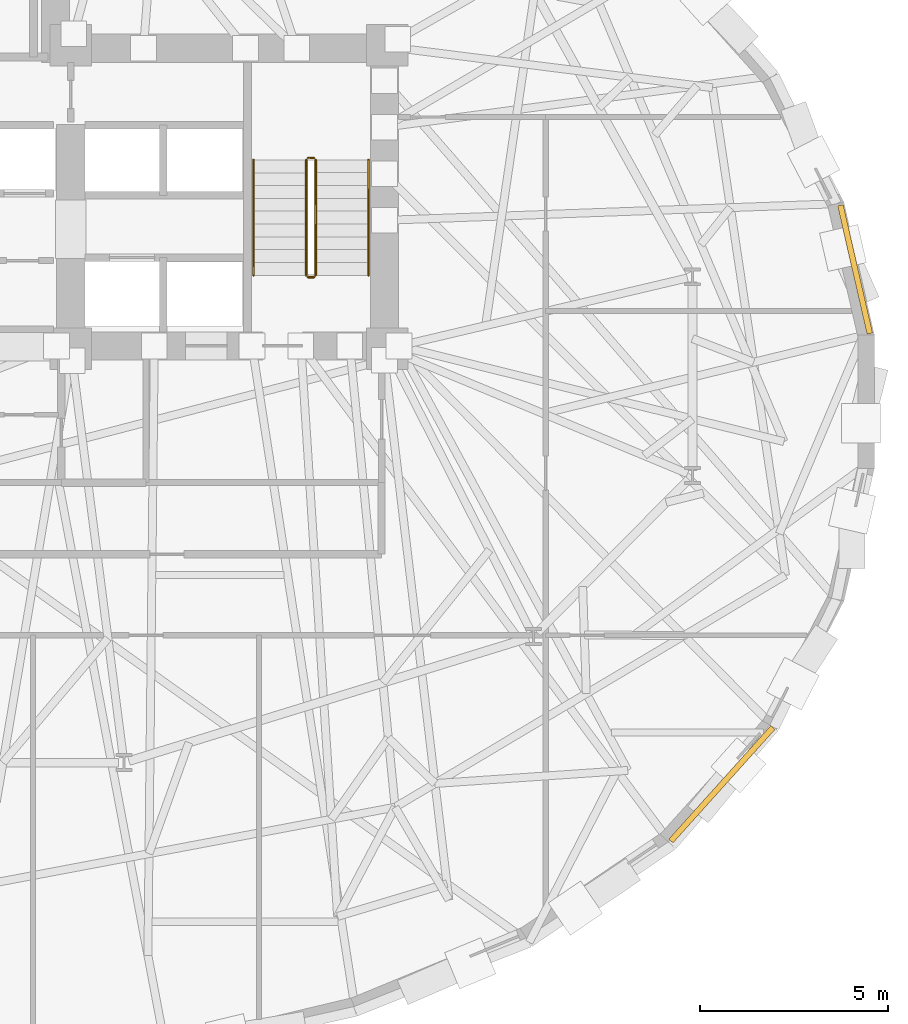
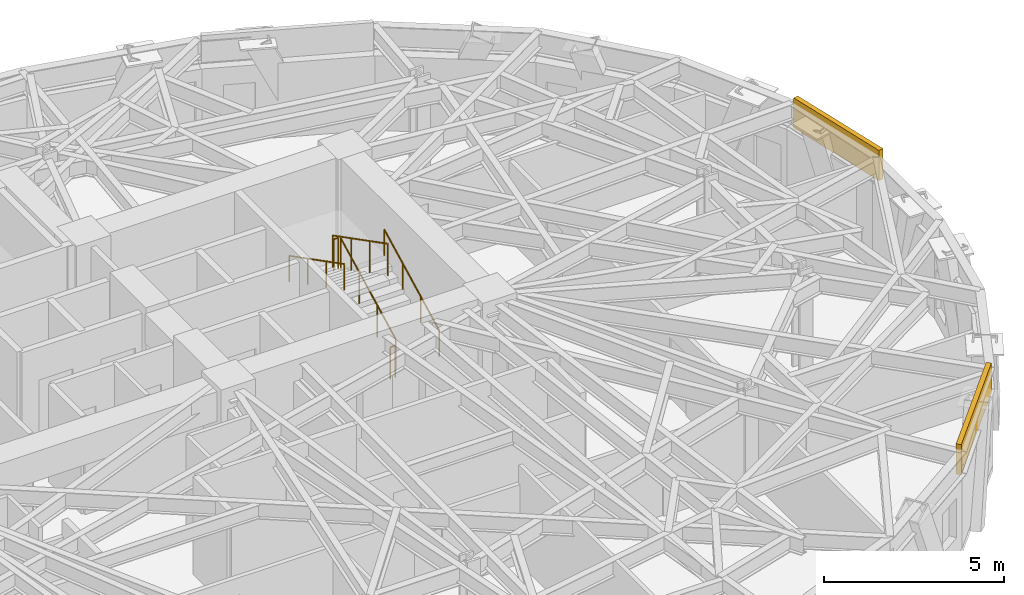
# One storey, part 13 of 14: 6 railings, 2 coverings.
"""IFC4 building model written with IfcOpenShell, lengths in metres."""

import ifcopenshell
import ifcopenshell.guid

model = None  # the IFC model being written
_history = None  # IfcOwnerHistory: only IFC2X3 demands one
_inside = {}  # id of a spatial element -> (the spatial element, [elements in it])
_under = {}  # id of a project, library or spatial element -> (it, [spatial elements below it])
_declared = {}  # id of a project -> (the project, [libraries it declares])
_typed = {}  # id of a type object -> (the type object, [elements of that type])
_made_of = {}  # id of a material, layer set ... -> (it, [elements and type objects made of it])


def new_model(schema):
    """Start an empty IFC model of exactly this schema.

    Asked for "IFC4X3", IfcOpenShell would pick the latest addendum, in which some entities
    have other attributes; the version numbers below select the first issue.
    IFC2X3 requires an IfcOwnerHistory on every rooted entity: one is made here for all.
    """
    global model, _history
    if schema == "IFC4X3":
        model = ifcopenshell.file(schema_version=(4, 3, 0, 0))
    else:
        model = ifcopenshell.file(schema=schema)
    _inside.clear()
    _under.clear()
    _declared.clear()
    _typed.clear()
    _made_of.clear()
    _history = None
    if model.schema == "IFC2X3":
        org = make("IfcOrganization", Name="unknown")
        user = make(
            "IfcPersonAndOrganization",
            ThePerson=make("IfcPerson", FamilyName="unknown"),
            TheOrganization=org,
        )
        app = make(
            "IfcApplication",
            ApplicationDeveloper=org,
            Version="unknown",
            ApplicationFullName="unknown",
            ApplicationIdentifier="unknown",
        )
        _history = make(
            "IfcOwnerHistory",
            OwningUser=user,
            OwningApplication=app,
            ChangeAction="ADDED",
            CreationDate=0,
        )
    return model


def make(cls, **values):
    """One entity of the class cls with the attributes given. An attribute that is None is left unset."""
    return model.create_entity(
        cls, **{name: value for name, value in values.items() if value is not None}
    )


def rooted(cls, **values):
    """An entity with a GlobalId (a new one), such as an element, a storey or a relation."""
    return make(cls, GlobalId=ifcopenshell.guid.new(), OwnerHistory=_history, **values)


def si_unit(unit_type, name, prefix=None):
    """IfcSIUnit, for example si_unit("LENGTHUNIT", "METRE", prefix="MILLI")."""
    return make("IfcSIUnit", UnitType=unit_type, Prefix=prefix, Name=name)


def assignment(units):
    """IfcUnitAssignment: the units of a project."""
    return None if units is None else make("IfcUnitAssignment", Units=units)


def point(xyz):
    """IfcCartesianPoint."""
    return None if xyz is None else make("IfcCartesianPoint", Coordinates=xyz)


def direction(xyz):
    """IfcDirection."""
    return None if xyz is None else make("IfcDirection", DirectionRatios=xyz)


def frame(location, z_axis=None, x_axis=None):
    """IfcAxis2Placement3D, a coordinate frame: its origin and axes. An axis left out is left unset."""
    return make(
        "IfcAxis2Placement3D",
        Location=point(location),
        Axis=direction(z_axis),
        RefDirection=direction(x_axis),
    )


def frame_2d(location, x_axis=None):
    """IfcAxis2Placement2D, a coordinate frame in the plane: its origin and x axis."""
    return make(
        "IfcAxis2Placement2D", Location=point(location), RefDirection=direction(x_axis)
    )


def origin():
    """The frame at (0, 0, 0) with its axes left unset."""
    return frame((0.0, 0.0, 0.0))


def origin_2d():
    """The frame at (0, 0) in the plane with its x axis left unset."""
    return frame_2d((0.0, 0.0))


def place(relative_to, where):
    """IfcLocalPlacement: puts the frame where relative to a parent placement (None: the world)."""
    return make(
        "IfcLocalPlacement", PlacementRelTo=relative_to, RelativePlacement=where
    )


def context(
    kind, dimensions, precision=None, world=None, true_north=None, identifier=None
):
    """IfcGeometricRepresentationContext, for example the 3D "Model" context."""
    return make(
        "IfcGeometricRepresentationContext",
        ContextIdentifier=identifier,
        ContextType=kind,
        CoordinateSpaceDimension=dimensions,
        Precision=precision,
        WorldCoordinateSystem=world,
        TrueNorth=true_north,
    )


def subcontext(parent, identifier, kind, view, scale=None):
    """IfcGeometricRepresentationSubContext, for example "Body" below "Model"."""
    return make(
        "IfcGeometricRepresentationSubContext",
        ContextIdentifier=identifier,
        ContextType=kind,
        ParentContext=parent,
        TargetScale=scale,
        TargetView=view,
    )


def project(units=None, contexts=None):
    """IfcProject with its units and contexts."""
    return rooted(
        "IfcProject",
        Name="project",
        RepresentationContexts=contexts,
        UnitsInContext=assignment(units),
    )


def spatial(cls, under=None, at=None, **own):
    """A site, building, storey or space (cls), placed at a placement, below another one or the project."""
    s = rooted(cls, ObjectPlacement=at, **own)
    if under is not None:
        _under.setdefault(under.id(), (under, []))[1].append(s)
    return s


def profile(cls, at=None, kind="AREA", **sizes):
    """A parametric profile (cls). Its sizes go by their IFC names, for example OverallWidth=200.0."""
    return make(cls, ProfileType=kind, Position=at, **sizes)


def rectangle(**sizes):
    """IfcRectangleProfileDef."""
    return profile("IfcRectangleProfileDef", **sizes)


def circle(**sizes):
    """IfcCircleProfileDef."""
    return profile("IfcCircleProfileDef", **sizes)


def extrude(swept, where, along, depth):
    """IfcExtrudedAreaSolid: the profile swept, set in the frame where, extruded along a direction by depth."""
    return make(
        "IfcExtrudedAreaSolid",
        SweptArea=swept,
        Position=where,
        ExtrudedDirection=direction(along),
        Depth=depth,
    )


def shape(context_of_items, identifier, shape_type, items):
    """IfcShapeRepresentation: the items that make up one representation, for example the "Body"."""
    return make(
        "IfcShapeRepresentation",
        ContextOfItems=context_of_items,
        RepresentationIdentifier=identifier,
        RepresentationType=shape_type,
        Items=items,
    )


def material(Name=None, Category=None):
    """IfcMaterial."""
    return make("IfcMaterial", Name=Name, Category=Category)


def layer(
    of_material, thickness, ventilated=None, Name=None, Category=None, Priority=None
):
    """IfcMaterialLayer: one layer of a wall or slab, of a material (None: an air gap)."""
    return make(
        "IfcMaterialLayer",
        Material=of_material,
        LayerThickness=thickness,
        IsVentilated=ventilated,
        Name=Name,
        Category=Category,
        Priority=Priority,
    )


def layer_set(layers, Name=None):
    """IfcMaterialLayerSet."""
    return make("IfcMaterialLayerSet", MaterialLayers=layers, LayerSetName=Name)


def made_of(thing, what):
    """Note that an element or type object is made of a material, layer set ...; save() writes the relation."""
    if what is not None:
        _made_of.setdefault(what.id(), (what, []))[1].append(thing)
    return thing


def type_object(cls, material=None, **own):
    """A type object (cls), such as IfcWallType, which elements share."""
    return made_of(rooted(cls, **own), material)


def element(
    cls,
    number,
    at=None,
    inside=None,
    cuts=None,
    type_object=None,
    material=None,
    context=None,
    identifier="Body",
    shape_type=None,
    held_by="IfcProductDefinitionShape",
    body=None,
    shapes=None,
    **own,
):
    """One element of the class cls, such as IfcWall. Its Tag is "e" and its number.

    at: its placement. inside: the storey or other place that contains it. cuts: it is an
    opening in that element (IfcRelVoidsElement). A single representation is given by context,
    identifier, shape_type and body (its items); several are given by shapes. held_by: the class
    of the entity that holds the representations. save() writes the other relations.
    """
    e = rooted(cls, Tag="e%d" % number, ObjectPlacement=at, **own)
    if body is not None:
        shapes = [shape(context, identifier, shape_type, body)]
    if shapes is not None:
        e.Representation = make(held_by, Representations=shapes)
    if inside is not None:
        _inside.setdefault(inside.id(), (inside, []))[1].append(e)
    if cuts is not None:
        rooted(
            "IfcRelVoidsElement", RelatingBuildingElement=cuts, RelatedOpeningElement=e
        )
    if type_object is not None:
        _typed.setdefault(type_object.id(), (type_object, []))[1].append(e)
    return made_of(e, material)


def aggregate(whole, parts):
    """IfcRelAggregates: a whole, such as a stair, and the parts it consists of."""
    return rooted("IfcRelAggregates", RelatingObject=whole, RelatedObjects=parts)


def save(model, path):
    """Write the relations noted so far, then the file.

    IfcRelAggregates (storeys below a building ...), IfcRelContainedInSpatialStructure (elements
    in a storey), IfcRelDefinesByType, IfcRelAssociatesMaterial and IfcRelDeclares: one each for
    every whole, place, type object, material and project.
    """
    for whole, parts in _under.values():
        aggregate(whole, parts)
    for where, things in _inside.values():
        rooted(
            "IfcRelContainedInSpatialStructure",
            RelatedElements=things,
            RelatingStructure=where,
        )
    for kind, things in _typed.values():
        rooted("IfcRelDefinesByType", RelatedObjects=things, RelatingType=kind)
    for what, things in _made_of.values():
        rooted("IfcRelAssociatesMaterial", RelatedObjects=things, RelatingMaterial=what)
    for by, libraries in _declared.values():
        rooted("IfcRelDeclares", RelatingContext=by, RelatedDefinitions=libraries)
    model.write(path)


model = new_model("IFC4")

# Units and contexts
model_context = context("Model", 3, precision=1e-05, world=origin(), true_north=direction((0.0, 1.0)))
body_context = subcontext(model_context, "Body", "Model", "MODEL_VIEW")
ifc_project = project(units=[si_unit("LENGTHUNIT", "METRE"), si_unit("AREAUNIT", "SQUARE_METRE"), si_unit("VOLUMEUNIT", "CUBIC_METRE"), si_unit("PLANEANGLEUNIT", "RADIAN"), si_unit("MASSUNIT", "GRAM", prefix="KILO")], contexts=[model_context])

# Site, building, storey
site_placement = place(None, origin())
site = spatial("IfcSite", under=ifc_project, at=site_placement, CompositionType="ELEMENT")
building_placement = place(site_placement, origin())
building = spatial("IfcBuilding", under=site, at=building_placement, Name="Keldmark Tower", CompositionType="ELEMENT")
storey_placement = place(building_placement, frame((0.0, 0.0, 117.60009765625)))
storey = spatial("IfcBuildingStorey", under=building, at=storey_placement, Name="L31", CompositionType="ELEMENT", Elevation=117.60009765625)

# Coverings
ifc_material_1 = material(Name="Honed Kasota Buff Dolomitic Limestone", Category="masonry")
ifc_layer = layer(ifc_material_1, 0.074951171875)
ifc_layer_set = layer_set([ifc_layer], Name="Honed Kasota Buff Dolomitic Limestone")
covering_type = type_object("IfcCoveringType", Name="Kasota Buff Limestone Spandrel Cladding Band", PredefinedType="CLADDING", material=ifc_layer_set)
covering_1_placement = place(storey_placement, frame((26.01171875, 3.50537109375, 2.45166015625), z_axis=(0.0, 0.0, 1.0), x_axis=(-0.223318166636, 0.974745606017, 0.0)))
element("IfcCovering", 1, at=covering_1_placement, inside=storey, type_object=covering_type, Name="L31 Kasota Limestone Spandrel Band 01", PredefinedType="CLADDING", context=body_context, shape_type="SweptSolid", body=[
    extrude(rectangle(XDim=3.48876953125, YDim=0.14990234375, at=origin_2d()), origin(), (0.0, 0.0, 1.0), 1.028076171875),
])
covering_2_placement = place(storey_placement, frame((22.476318359375, -10.154296875, 2.45166015625), z_axis=(0.0, 0.0, 1.0), x_axis=(0.668741404933, 0.743495079559, 0.0)))
element("IfcCovering", 2, at=covering_2_placement, inside=storey, type_object=covering_type, Name="L31 Kasota Limestone Spandrel Band 29", PredefinedType="CLADDING", context=body_context, shape_type="SweptSolid", body=[
    extrude(rectangle(XDim=4.04541015625, YDim=0.14990234375, at=origin_2d()), origin(), (0.0, 0.0, 1.0), 1.028076171875),
])

# Railings
ifc_material_2 = material(Name="Painted Steel ASTM A500 Grade B", Category="steel")
railing_type_1 = type_object("IfcRailingType", Name="Painted Steel Stair Well Guard 1100 mm", PredefinedType="GUARDRAIL", material=ifc_material_2)
railing_1_placement = place(storey_placement, frame((11.699951171875, 3.35009765625, 0.1748046875)))
element("IfcRailing", 3, at=railing_1_placement, inside=storey, type_object=railing_type_1, Name="L31 ST2 stair guard 1", PredefinedType="GUARDRAIL", context=body_context, shape_type="SweptSolid", body=[
    extrude(circle(Radius=0.02392578125, at=origin_2d()), frame((0.0, 0.0, 1.076171875), z_axis=(0.0, 0.889101422983, 0.457710235465), x_axis=(-1.0, 0.0, 0.0)), (0.0, 0.0, 1.0), 3.44140625),
    extrude(circle(Radius=0.02099609375, at=origin_2d()), origin(), (0.0, 0.0, 1.0), 1.052001953125),
    extrude(circle(Radius=0.02099609375, at=origin_2d()), frame((0.0, 1.02001953125, 0.525146484375)), (0.0, 0.0, 1.0), 1.052001953125),
    extrude(circle(Radius=0.02099609375, at=origin_2d()), frame((0.0, 2.039794921875, 1.050048828125)), (0.0, 0.0, 1.0), 1.052001953125),
    extrude(circle(Radius=0.02099609375, at=origin_2d()), frame((0.0, 3.059814453125, 1.5751953125)), (0.0, 0.0, 1.0), 1.052001953125),
])
railing_2_placement = place(storey_placement, frame((11.64990234375, 6.4599609375, 1.75)))
element("IfcRailing", 4, at=railing_2_placement, inside=storey, type_object=railing_type_1, Name="L31 ST2 stair guard 2", PredefinedType="GUARDRAIL", context=body_context, shape_type="SweptSolid", body=[
    extrude(circle(Radius=0.02392578125, at=origin_2d()), frame((0.0, 0.0, 1.076171875), z_axis=(-1.0, 0.0, 0.0), x_axis=(0.0, -1.0, 0.0)), (0.0, 0.0, 1.0), 0.14990234375),
    extrude(circle(Radius=0.02099609375, at=origin_2d()), origin(), (0.0, 0.0, 1.0), 1.052001953125),
    extrude(circle(Radius=0.02099609375, at=origin_2d()), frame((-0.14990234375, 0.0, 0.0)), (0.0, 0.0, 1.0), 1.052001953125),
])
railing_3_placement = place(storey_placement, frame((11.449951171875, 6.409912109375, 1.9248046875)))
element("IfcRailing", 5, at=railing_3_placement, inside=storey, type_object=railing_type_1, Name="L31 ST2 stair guard 3", PredefinedType="GUARDRAIL", context=body_context, shape_type="SweptSolid", body=[
    extrude(circle(Radius=0.02392578125, at=origin_2d()), frame((0.0, 0.0, 1.076171875), z_axis=(0.0, -0.889101422983, 0.457710235465), x_axis=(1.0, 0.0, 0.0)), (0.0, 0.0, 1.0), 3.44140625),
    extrude(circle(Radius=0.02099609375, at=origin_2d()), origin(), (0.0, 0.0, 1.0), 1.052001953125),
    extrude(circle(Radius=0.02099609375, at=origin_2d()), frame((0.0, -1.02001953125, 0.525146484375)), (0.0, 0.0, 1.0), 1.052001953125),
    extrude(circle(Radius=0.02099609375, at=origin_2d()), frame((0.0, -2.039794921875, 1.050048828125)), (0.0, 0.0, 1.0), 1.052001953125),
    extrude(circle(Radius=0.02099609375, at=origin_2d()), frame((0.0, -3.059814453125, 1.5751953125)), (0.0, 0.0, 1.0), 1.052001953125),
])
railing_4_placement = place(storey_placement, frame((11.64990234375, 3.300048828125, 0.0)))
element("IfcRailing", 6, at=railing_4_placement, inside=storey, type_object=railing_type_1, Name="L31 ST2 stair guard 4", PredefinedType="GUARDRAIL", context=body_context, shape_type="SweptSolid", body=[
    extrude(circle(Radius=0.02392578125, at=origin_2d()), frame((0.0, 0.0, 1.076171875), z_axis=(-1.0, 0.0, 0.0), x_axis=(0.0, -1.0, 0.0)), (0.0, 0.0, 1.0), 0.14990234375),
    extrude(circle(Radius=0.02099609375, at=origin_2d()), origin(), (0.0, 0.0, 1.0), 1.052001953125),
    extrude(circle(Radius=0.02099609375, at=origin_2d()), frame((-0.14990234375, 0.0, 0.0)), (0.0, 0.0, 1.0), 1.052001953125),
])
ifc_material_3 = material(Name="Stainless Steel AISI 316L", Category="steel")
railing_type_2 = type_object("IfcRailingType", Name="Stainless Steel Stair Handrail 900 mm", PredefinedType="HANDRAIL", material=ifc_material_3)
railing_5_placement = place(storey_placement, frame((13.10009765625, 3.35009765625, 0.1748046875)))
element("IfcRailing", 7, at=railing_5_placement, inside=storey, type_object=railing_type_2, Name="L31 ST2 stair handrail 1", PredefinedType="HANDRAIL", context=body_context, shape_type="SweptSolid", body=[
    extrude(circle(Radius=0.02392578125, at=origin_2d()), frame((0.0, 0.0, 0.8759765625), z_axis=(0.0, 0.889101422983, 0.457710235465), x_axis=(-1.0, 0.0, 0.0)), (0.0, 0.0, 1.0), 3.44140625),
    extrude(circle(Radius=0.02099609375, at=origin_2d()), origin(), (0.0, 0.0, 1.0), 0.851806640625),
    extrude(circle(Radius=0.02099609375, at=origin_2d()), frame((0.0, 1.02001953125, 0.525146484375)), (0.0, 0.0, 1.0), 0.851806640625),
    extrude(circle(Radius=0.02099609375, at=origin_2d()), frame((0.0, 2.039794921875, 1.050048828125)), (0.0, 0.0, 1.0), 0.851806640625),
    extrude(circle(Radius=0.02099609375, at=origin_2d()), frame((0.0, 3.059814453125, 1.5751953125)), (0.0, 0.0, 1.0), 0.851806640625),
])
railing_6_placement = place(storey_placement, frame((10.050048828125, 6.409912109375, 1.9248046875)))
element("IfcRailing", 8, at=railing_6_placement, inside=storey, type_object=railing_type_2, Name="L31 ST2 stair handrail 2", PredefinedType="HANDRAIL", context=body_context, shape_type="SweptSolid", body=[
    extrude(circle(Radius=0.02392578125, at=origin_2d()), frame((0.0, 0.0, 0.8759765625), z_axis=(0.0, -0.889101422983, 0.457710235465), x_axis=(1.0, 0.0, 0.0)), (0.0, 0.0, 1.0), 3.44140625),
    extrude(circle(Radius=0.02099609375, at=origin_2d()), origin(), (0.0, 0.0, 1.0), 0.851806640625),
    extrude(circle(Radius=0.02099609375, at=origin_2d()), frame((0.0, -1.02001953125, 0.525146484375)), (0.0, 0.0, 1.0), 0.851806640625),
    extrude(circle(Radius=0.02099609375, at=origin_2d()), frame((0.0, -2.039794921875, 1.050048828125)), (0.0, 0.0, 1.0), 0.851806640625),
    extrude(circle(Radius=0.02099609375, at=origin_2d()), frame((0.0, -3.059814453125, 1.5751953125)), (0.0, 0.0, 1.0), 0.851806640625),
])

save(model, "model.ifc")
